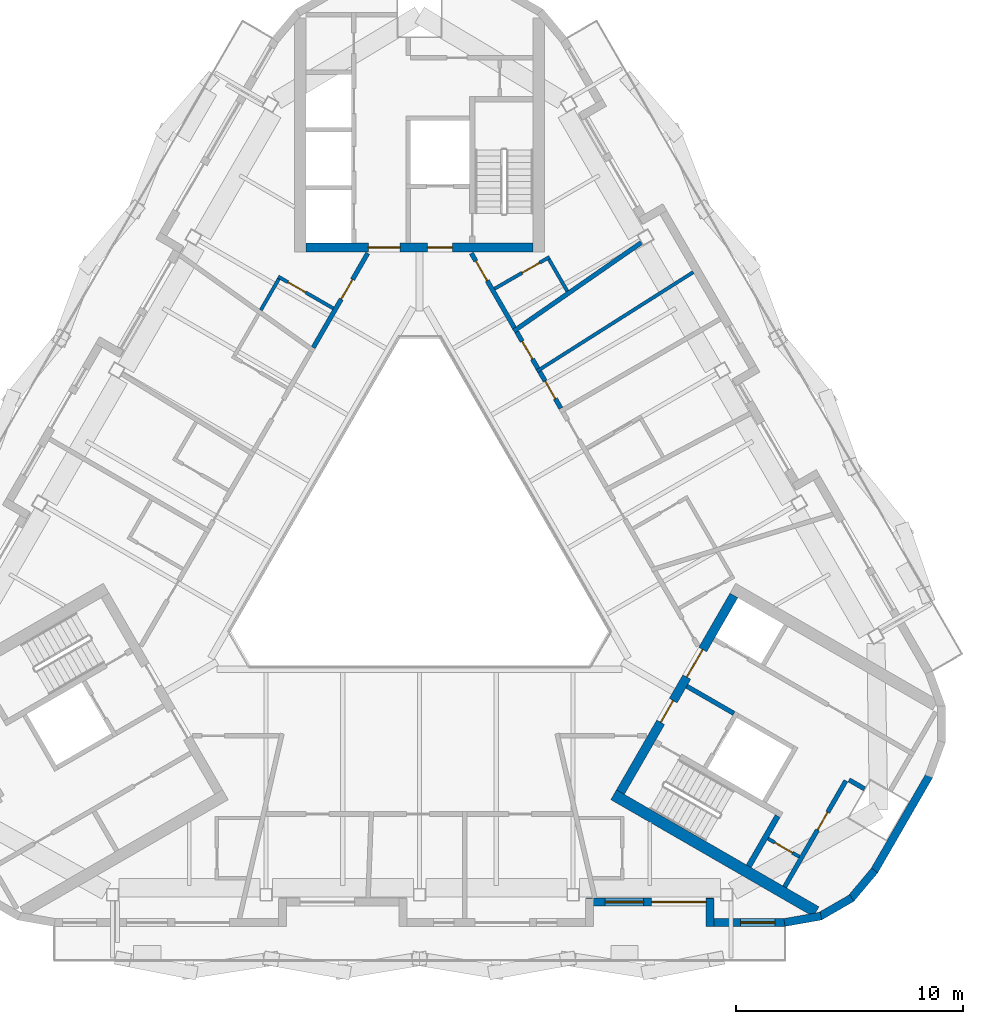
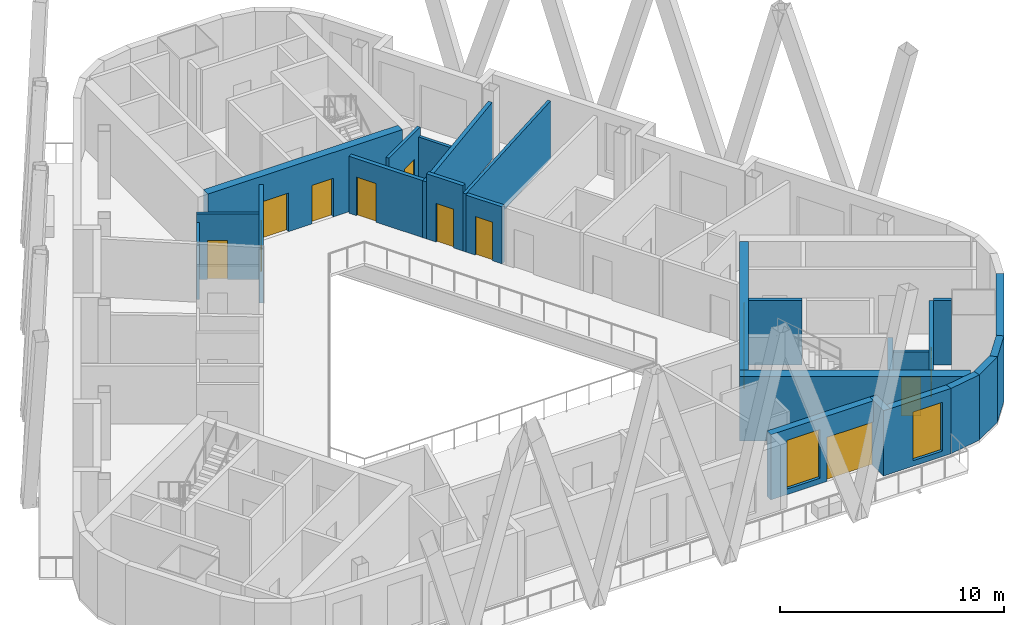
# One storey, part 5 of 12: 25 walls, 13 doors, 2 windows, 15 openings.
"""IFC4 building model written with IfcOpenShell, lengths in metres."""

from ifc_helpers import new_model, si_unit, direction, frame, frame_2d, origin, place, context, subcontext, project, spatial, rectangle, extrude, material, layer, layer_set, type_object, element, fill, save


model = new_model("IFC4")

# Units and contexts
model_context = context("Model", 3, precision=1e-05, world=origin(), true_north=direction((0.0, 1.0)))
body_context = subcontext(model_context, "Body", "Model", "MODEL_VIEW")
ifc_project = project(units=[si_unit("LENGTHUNIT", "METRE"), si_unit("AREAUNIT", "SQUARE_METRE"), si_unit("VOLUMEUNIT", "CUBIC_METRE"), si_unit("PLANEANGLEUNIT", "RADIAN"), si_unit("MASSUNIT", "GRAM", prefix="KILO")], contexts=[model_context])

# Site, building, storey
site_placement = place(None, origin())
site = spatial("IfcSite", under=ifc_project, at=site_placement, CompositionType="ELEMENT")
building_placement = place(site_placement, origin())
building = spatial("IfcBuilding", under=site, at=building_placement, Name="Apuvela Tower Hotel", CompositionType="ELEMENT")
storey_placement = place(building_placement, frame((0.0, 0.0, 302.199951171875)))
storey = spatial("IfcBuildingStorey", under=building, at=storey_placement, Name="L75", CompositionType="ELEMENT", Elevation=302.199951171875)

# Wall, openings, doors
ifc_material_1 = material(Name="Concrete C50/60", Category="concrete")
ifc_layer_1 = layer(ifc_material_1, 0.39990234375)
ifc_layer_set_1 = layer_set([ifc_layer_1], Name="COR-WALL-CORE-400")
wall_type_1 = type_object("IfcWallType", Name="COR-WALL-CORE-400", PredefinedType="SHEAR", material=ifc_layer_set_1)
wall_1_placement = place(storey_placement, frame((5.0, 13.10009765625, 0.0), z_axis=(0.0, 0.0, 1.0), x_axis=(-1.0, 0.0, 0.0)))
wall_1 = element("IfcWall", 1, at=wall_1_placement, inside=storey, type_object=wall_type_1, Name="Core wall N", PredefinedType="SHEAR", context=body_context, shape_type="SweptSolid", body=[
    extrude(rectangle(XDim=10.0, YDim=0.39990234375, at=frame_2d((5.0, 0.0))), origin(), (0.0, 0.0, 1.0), 3.5),
])
opening_1_placement = place(wall_1_placement, frame((3.550048828125, 0.0, 0.0)))
opening_1 = element("IfcOpeningElement", 2, at=opening_1_placement, cuts=wall_1, Name="Opening N-FD", PredefinedType="OPENING", context=body_context, shape_type="SweptSolid", body=[
    extrude(rectangle(XDim=1.10009765625, YDim=2.10009765625, at=frame_2d((0.550048828125, 1.050048828125))), frame((0.0, 0.2099609375, 0.0), z_axis=(0.0, -1.0, 0.0), x_axis=(1.0, 0.0, 0.0)), (0.0, 0.0, 1.0), 0.419921875),
])
opening_2_placement = place(wall_1_placement, frame((5.85009765625, 0.0, 0.0)))
opening_2 = element("IfcOpeningElement", 3, at=opening_2_placement, cuts=wall_1, Name="Opening N-GD", PredefinedType="OPENING", context=body_context, shape_type="SweptSolid", body=[
    extrude(rectangle(XDim=1.39990234375, YDim=2.10009765625, at=frame_2d((0.699951171875, 1.050048828125))), frame((0.0, 0.2099609375, 0.0), z_axis=(0.0, -1.0, 0.0), x_axis=(1.0, 0.0, 0.0)), (0.0, 0.0, 1.0), 0.419921875),
])
ifc_material_2 = material(Name="Steel fire door, powder coated", Category="steel")
door_type_1 = type_object("IfcDoorType", Name="COR-FD-1100", OperationType="NOTDEFINED", PredefinedType="DOOR", material=ifc_material_2)
door_1_placement = place(opening_1_placement, frame((1.10009765625, 0.0, 0.0), z_axis=(0.0, 0.0, 1.0), x_axis=(-1.0, 0.0, 0.0)))
door_1 = element("IfcDoor", 4, at=door_1_placement, inside=storey, type_object=door_type_1, Name="Firefighting lobby door N-FD", OperationType="SINGLE_SWING_LEFT", OverallHeight=2.10009765625, OverallWidth=1.10009765625, PredefinedType="DOOR", context=body_context, shape_type="SweptSolid", body=[
    extrude(rectangle(XDim=1.10009765625, YDim=2.10009765625, at=frame_2d((0.550048828125, 1.050048828125))), frame((0.0, 0.02490234375, 0.0), z_axis=(0.0, -1.0, 0.0), x_axis=(1.0, 0.0, 0.0)), (0.0, 0.0, 1.0), 0.050048828125),
])
fill(opening_1, door_1)
ifc_material_3 = material(Name="Glazed steel fire door", Category="steel")
door_type_2 = type_object("IfcDoorType", Name="COR-GD-1400", OperationType="DOUBLE_DOOR_SINGLE_SWING", PredefinedType="DOOR", material=ifc_material_3)
door_2_placement = place(opening_2_placement, frame((1.39990234375, 0.0, 0.0), z_axis=(0.0, 0.0, 1.0), x_axis=(-1.0, 0.0, 0.0)))
door_2 = element("IfcDoor", 5, at=door_2_placement, inside=storey, type_object=door_type_2, Name="Lift lobby door N-GD", OperationType="DOUBLE_DOOR_SINGLE_SWING", OverallHeight=2.10009765625, OverallWidth=1.39990234375, PredefinedType="DOOR", context=body_context, shape_type="SweptSolid", body=[
    extrude(rectangle(XDim=1.39990234375, YDim=2.10009765625, at=frame_2d((0.699951171875, 1.050048828125))), frame((0.0, 0.02490234375, 0.0), z_axis=(0.0, -1.0, 0.0), x_axis=(1.0, 0.0, 0.0)), (0.0, 0.0, 1.0), 0.050048828125),
])
fill(opening_2, door_2)

wall_2_placement = place(storey_placement, frame((8.844970703125, -10.880126953125, 0.0), z_axis=(0.0, 0.0, 1.0), x_axis=(0.500004234368, 0.866022959057, 0.0)))
wall_2 = element("IfcWall", 6, at=wall_2_placement, inside=storey, type_object=wall_type_1, Name="Core wall SE", PredefinedType="SHEAR", context=body_context, shape_type="SweptSolid", body=[
    extrude(rectangle(XDim=10.0, YDim=0.39990234375, at=frame_2d((5.0, 0.0))), origin(), (0.0, 0.0, 1.0), 3.5),
])
opening_3_placement = place(wall_2_placement, frame((3.550048828125, 0.0, 0.0)))
opening_3 = element("IfcOpeningElement", 7, at=opening_3_placement, cuts=wall_2, Name="Opening E-FD", PredefinedType="OPENING", context=body_context, shape_type="SweptSolid", body=[
    extrude(rectangle(XDim=1.10009765625, YDim=2.10009765625, at=frame_2d((0.550048828125, 1.050048828125))), frame((0.0, 0.2099609375, 0.0), z_axis=(0.0, -1.0, 0.0), x_axis=(1.0, 0.0, 0.0)), (0.0, 0.0, 1.0), 0.419921875),
])
opening_4_placement = place(wall_2_placement, frame((5.85009765625, 0.0, 0.0)))
opening_4 = element("IfcOpeningElement", 8, at=opening_4_placement, cuts=wall_2, Name="Opening E-GD", PredefinedType="OPENING", context=body_context, shape_type="SweptSolid", body=[
    extrude(rectangle(XDim=1.39990234375, YDim=2.10009765625, at=frame_2d((0.699951171875, 1.050048828125))), frame((0.0, 0.2099609375, 0.0), z_axis=(0.0, -1.0, 0.0), x_axis=(1.0, 0.0, 0.0)), (0.0, 0.0, 1.0), 0.419921875),
])
door_3_placement = place(opening_3_placement, frame((1.10009765625, 0.0, 0.0), z_axis=(0.0, 0.0, 1.0), x_axis=(-1.0, 0.0, 0.0)))
door_3 = element("IfcDoor", 9, at=door_3_placement, inside=storey, type_object=door_type_1, Name="Firefighting lobby door E-FD", OperationType="SINGLE_SWING_LEFT", OverallHeight=2.10009765625, OverallWidth=1.10009765625, PredefinedType="DOOR", context=body_context, shape_type="SweptSolid", body=[
    extrude(rectangle(XDim=1.10009765625, YDim=2.10009765625, at=frame_2d((0.550048828125, 1.050048828125))), frame((0.0, 0.02490234375, 0.0), z_axis=(0.0, -1.0, 0.0), x_axis=(1.0, 0.0, 0.0)), (0.0, 0.0, 1.0), 0.050048828125),
])
fill(opening_3, door_3)
door_4_placement = place(opening_4_placement, frame((1.39990234375, 0.0, 0.0), z_axis=(0.0, 0.0, 1.0), x_axis=(-1.0, 0.0, 0.0)))
door_4 = element("IfcDoor", 10, at=door_4_placement, inside=storey, type_object=door_type_2, Name="Lift lobby door E-GD", OperationType="DOUBLE_DOOR_SINGLE_SWING", OverallHeight=2.10009765625, OverallWidth=1.39990234375, PredefinedType="DOOR", context=body_context, shape_type="SweptSolid", body=[
    extrude(rectangle(XDim=1.39990234375, YDim=2.10009765625, at=frame_2d((0.699951171875, 1.050048828125))), frame((0.0, 0.02490234375, 0.0), z_axis=(0.0, -1.0, 0.0), x_axis=(1.0, 0.0, 0.0)), (0.0, 0.0, 1.0), 0.050048828125),
])
fill(opening_4, door_4)

# Wall
ifc_layer_2 = layer(ifc_material_1, 0.5)
ifc_layer_set_2 = layer_set([ifc_layer_2], Name="COR-WALL-CORE-500")
wall_type_2 = type_object("IfcWallType", Name="COR-WALL-CORE-500", PredefinedType="SHEAR", material=ifc_layer_set_2)
wall_3_placement = place(storey_placement, frame((8.546630859375, -10.99658203125, 0.0), z_axis=(0.0, 0.0, 1.0), x_axis=(0.866027279078, -0.499996751883, 0.0)))
element("IfcWall", 11, at=wall_3_placement, inside=storey, type_object=wall_type_2, Name="Core wall SE", PredefinedType="SHEAR", context=body_context, shape_type="SweptSolid", body=[
    extrude(rectangle(XDim=10.29833984375, YDim=0.5, at=frame_2d((5.149169921875, 0.0))), origin(), (0.0, 0.0, 1.0), 3.5),
])

# Wall, opening, door
ifc_material_4 = material(Name="Blockwork 150 mm plastered", Category="masonry")
ifc_layer_3 = layer(ifc_material_4, 0.14990234375)
ifc_layer_set_3 = layer_set([ifc_layer_3], Name="COR-WALL-PART-150")
wall_type_3 = type_object("IfcWallType", Name="COR-WALL-PART-150", PredefinedType="PARTITIONING", material=ifc_layer_set_3)
wall_4_placement = place(storey_placement, frame((15.341552734375, -12.927734375, 0.0), z_axis=(0.0, 0.0, 1.0), x_axis=(0.865989903783, -0.500061482766, 0.0)))
wall_4 = element("IfcWall", 12, at=wall_4_placement, inside=storey, type_object=wall_type_3, Name="Partition SE", PredefinedType="PARTITIONING", context=body_context, shape_type="SweptSolid", body=[
    extrude(rectangle(XDim=1.599853515625, YDim=0.14990234375, at=frame_2d((0.7998046875, 0.0))), origin(), (0.0, 0.0, 1.0), 3.5),
])
opening_5_placement = place(wall_4_placement, frame((0.35009765625, 0.0, 0.0)))
opening_5 = element("IfcOpeningElement", 13, at=opening_5_placement, cuts=wall_4, Name="Opening E-RD", PredefinedType="OPENING", context=body_context, shape_type="SweptSolid", body=[
    extrude(rectangle(XDim=0.89990234375, YDim=2.10009765625, at=frame_2d((0.449951171875, 1.050048828125))), frame((0.0, 0.0849609375, 0.0), z_axis=(0.0, -1.0, 0.0), x_axis=(1.0, 0.0, 0.0)), (0.0, 0.0, 1.0), 0.169921875),
])
ifc_material_5 = material(Name="Steel access door, powder coated", Category="steel")
door_type_3 = type_object("IfcDoorType", Name="COR-RD-900", OperationType="NOTDEFINED", PredefinedType="DOOR", material=ifc_material_5)
door_5_placement = place(opening_5_placement, frame((0.89990234375, 0.0, 0.0), z_axis=(0.0, 0.0, 1.0), x_axis=(-1.0, 0.0, 0.0)))
door_5 = element("IfcDoor", 14, at=door_5_placement, inside=storey, type_object=door_type_3, Name="Riser door E-RD", OperationType="SINGLE_SWING_LEFT", OverallHeight=2.10009765625, OverallWidth=0.89990234375, PredefinedType="DOOR", context=body_context, shape_type="SweptSolid", body=[
    extrude(rectangle(XDim=0.89990234375, YDim=2.10009765625, at=frame_2d((0.449951171875, 1.050048828125))), frame((0.0, 0.02490234375, 0.0), z_axis=(0.0, -1.0, 0.0), x_axis=(1.0, 0.0, 0.0)), (0.0, 0.0, 1.0), 0.050048828125),
])
fill(opening_5, door_5)

ifc_material_6 = material(Name="Blockwork 200 mm plastered", Category="masonry")
ifc_layer_4 = layer(ifc_material_6, 0.199951171875)
ifc_layer_set_4 = layer_set([ifc_layer_4], Name="COR-WALL-PART-200")
wall_type_4 = type_object("IfcWallType", Name="COR-WALL-PART-200", PredefinedType="PARTITIONING", material=ifc_layer_set_4)
wall_5_placement = place(storey_placement, frame((16.076171875, -15.05517578125, 0.0), z_axis=(0.0, 0.0, 1.0), x_axis=(0.499995103361, 0.866028230842, 0.0)))
wall_5 = element("IfcWall", 15, at=wall_5_placement, inside=storey, type_object=wall_type_4, Name="Partition SE", PredefinedType="PARTITIONING", context=body_context, shape_type="SweptSolid", body=[
    extrude(rectangle(XDim=5.39990234375, YDim=0.199951171875, at=frame_2d((2.699951171875, 0.0))), origin(), (0.0, 0.0, 1.0), 3.5),
])
opening_6_placement = place(wall_5_placement, frame((2.89990234375, 0.0, 0.0)))
opening_6 = element("IfcOpeningElement", 16, at=opening_6_placement, cuts=wall_5, Name="Opening E-RS1", PredefinedType="OPENING", context=body_context, shape_type="SweptSolid", body=[
    extrude(rectangle(XDim=0.89990234375, YDim=2.10009765625, at=frame_2d((0.449951171875, 1.050048828125))), frame((0.0, 0.10986328125, 0.0), z_axis=(0.0, -1.0, 0.0), x_axis=(1.0, 0.0, 0.0)), (0.0, 0.0, 1.0), 0.219970703125),
])
door_type_4 = type_object("IfcDoorType", Name="COR-DR-900", OperationType="NOTDEFINED", PredefinedType="DOOR", material=ifc_material_2)
door_6_placement = place(opening_6_placement, frame((0.89990234375, 0.0, 0.0), z_axis=(0.0, 0.0, 1.0), x_axis=(-1.0, 0.0, 0.0)))
door_6 = element("IfcDoor", 17, at=door_6_placement, inside=storey, type_object=door_type_4, Name="Store door E-RS1", OperationType="SINGLE_SWING_LEFT", OverallHeight=2.10009765625, OverallWidth=0.89990234375, PredefinedType="DOOR", context=body_context, shape_type="SweptSolid", body=[
    extrude(rectangle(XDim=0.89990234375, YDim=2.10009765625, at=frame_2d((0.449951171875, 1.050048828125))), frame((0.0, 0.02490234375, 0.0), z_axis=(0.0, -1.0, 0.0), x_axis=(1.0, 0.0, 0.0)), (0.0, 0.0, 1.0), 0.050048828125),
])
fill(opening_6, door_6)

# Walls
ifc_layer_5 = layer(ifc_material_1, 0.199951171875)
ifc_layer_set_5 = layer_set([ifc_layer_5], Name="COR-WALL-SHAFT-200")
wall_type_5 = type_object("IfcWallType", Name="COR-WALL-SHAFT-200", PredefinedType="SHEAR", material=ifc_layer_set_5)
wall_6_placement = place(storey_placement, frame((11.76806640625, -6.217041015625, 0.0), z_axis=(0.0, 0.0, 1.0), x_axis=(0.866050077142, -0.499957262057, 0.0)))
element("IfcWall", 18, at=wall_6_placement, inside=storey, type_object=wall_type_5, Name="Shaft wall SE", PredefinedType="SHEAR", context=body_context, shape_type="SweptSolid", body=[
    extrude(rectangle(XDim=2.400146484375, YDim=0.199951171875, at=frame_2d((1.2001953125, 0.0))), origin(), (0.0, 0.0, 1.0), 3.5),
])
wall_7_placement = place(storey_placement, frame((18.912841796875, -10.342041015625, 0.0), z_axis=(0.0, 0.0, 1.0), x_axis=(0.86597493103, -0.500087411186, 0.0)))
element("IfcWall", 19, at=wall_7_placement, inside=storey, type_object=wall_type_5, Name="Shaft wall SE", PredefinedType="SHEAR", context=body_context, shape_type="SweptSolid", body=[
    extrude(rectangle(XDim=0.791259765625, YDim=0.199951171875, at=frame_2d((0.3955078125, 0.0))), origin(), (0.0, 0.0, 1.0), 3.5),
])
ifc_layer_6 = layer(ifc_material_1, 0.25)
ifc_layer_set_6 = layer_set([ifc_layer_6], Name="COR-WALL-STAIR-250")
wall_type_6 = type_object("IfcWallType", Name="COR-WALL-STAIR-250", PredefinedType="SHEAR", material=ifc_layer_set_6)
wall_8_placement = place(storey_placement, frame((14.49560546875, -14.142578125, 0.0), z_axis=(0.0, 0.0, 1.0), x_axis=(0.500062241894, 0.865989465428, 0.0)))
element("IfcWall", 20, at=wall_8_placement, inside=storey, type_object=wall_type_6, Name="Stair wall SE", PredefinedType="SHEAR", context=body_context, shape_type="SweptSolid", body=[
    extrude(rectangle(XDim=2.550048828125, YDim=0.25, at=frame_2d((1.27490234375, 0.0))), origin(), (0.0, 0.0, 1.0), 3.5),
])

# Wall, openings, door, window
ifc_material_7 = material(Name="Concrete C40/50, dark pigmented precast panel", Category="concrete")
ifc_layer_7 = layer(ifc_material_7, 0.35009765625)
ifc_layer_set_7 = layer_set([ifc_layer_7], Name="ENV-WALL-350")
wall_type_7 = type_object("IfcWallType", Name="ENV-WALL-350", PredefinedType="SOLIDWALL", material=ifc_layer_set_7)
wall_9_placement = place(storey_placement, frame((7.3388671875, -15.719482421875, 0.0), z_axis=(0.0, 0.0, 1.0), x_axis=(1.0, 0.0, 0.0)))
wall_9 = element("IfcWall", 21, at=wall_9_placement, inside=storey, type_object=wall_type_7, Name="External wall L75-23", PredefinedType="SOLIDWALL", context=body_context, shape_type="SweptSolid", body=[
    extrude(rectangle(XDim=5.598876953125, YDim=0.35009765625, at=frame_2d((2.79931640625, 0.0))), origin(), (0.0, 0.0, 1.0), 3.550048828125),
])
opening_7_placement = place(wall_9_placement, frame((2.87890625, 0.0, 0.0)))
opening_7 = element("IfcOpeningElement", 22, at=opening_7_placement, cuts=wall_9, Name="Opening BD24", PredefinedType="OPENING", context=body_context, shape_type="SweptSolid", body=[
    extrude(rectangle(XDim=2.39990234375, YDim=2.39990234375, at=frame_2d((1.199951171875, 1.199951171875))), frame((0.0, 0.18505859375, 0.0), z_axis=(0.0, -1.0, 0.0), x_axis=(1.0, 0.0, 0.0)), (0.0, 0.0, 1.0), 0.3701171875),
])
opening_8_placement = place(wall_9_placement, frame((0.831298828125, 0.0, 0.300048828125)))
opening_8 = element("IfcOpeningElement", 23, at=opening_8_placement, cuts=wall_9, Name="Opening WN17", PredefinedType="OPENING", context=body_context, shape_type="SweptSolid", body=[
    extrude(rectangle(XDim=1.699951171875, YDim=2.64990234375, at=frame_2d((0.85009765625, 1.324951171875))), frame((0.0, 0.18505859375, 0.0), z_axis=(0.0, -1.0, 0.0), x_axis=(1.0, 0.0, 0.0)), (0.0, 0.0, 1.0), 0.3701171875),
])
ifc_material_8 = material(Name="Aluminium 6063-T6, dark bronze anodised frame with dark tinted laminated glass", Category="aluminium")
door_type_5 = type_object("IfcDoorType", Name="ENV-DOOR-BALCONY-2400x2400", OperationType="SLIDING_TO_LEFT", PredefinedType="DOOR", material=ifc_material_8)
door_7_placement = place(opening_7_placement, frame((2.39990234375, 0.0, 0.0), z_axis=(0.0, 0.0, 1.0), x_axis=(-1.0, 0.0, 0.0)))
door_7 = element("IfcDoor", 24, at=door_7_placement, inside=storey, type_object=door_type_5, Name="Balcony door BD24", OperationType="SLIDING_TO_LEFT", OverallHeight=2.39990234375, OverallWidth=2.39990234375, PredefinedType="DOOR", context=body_context, shape_type="SweptSolid", body=[
    extrude(rectangle(XDim=2.39990234375, YDim=2.39990234375, at=frame_2d((1.199951171875, 1.199951171875))), frame((0.0, 0.02490234375, 0.0), z_axis=(0.0, -1.0, 0.0), x_axis=(1.0, 0.0, 0.0)), (0.0, 0.0, 1.0), 0.050048828125),
])
fill(opening_7, door_7)
ifc_material_9 = material(Name="Glass, dark tinted laminated insulated glazing unit", Category="glass")
window_type_1 = type_object("IfcWindowType", Name="ENV-WIN-1700x2650", PartitioningType="SINGLE_PANEL", PredefinedType="WINDOW", material=ifc_material_9)
window_1_placement = place(opening_8_placement, origin())
window_1 = element("IfcWindow", 25, at=window_1_placement, inside=storey, type_object=window_type_1, Name="Window WN17", OverallHeight=2.64990234375, OverallWidth=1.699951171875, PartitioningType="SINGLE_PANEL", PredefinedType="WINDOW", context=body_context, shape_type="SweptSolid", body=[
    extrude(rectangle(XDim=1.699951171875, YDim=2.64990234375, at=frame_2d((0.85009765625, 1.324951171875))), frame((0.0, 0.030029296875, 0.0), z_axis=(0.0, -1.0, 0.0), x_axis=(1.0, 0.0, 0.0)), (0.0, 0.0, 1.0), 0.06005859375),
])
fill(opening_8, window_1)

# Wall
wall_10_placement = place(storey_placement, frame((12.792724609375, -15.57470703125, 0.0), z_axis=(0.0, 0.0, 1.0), x_axis=(0.0, -1.0, 0.0)))
element("IfcWall", 26, at=wall_10_placement, inside=storey, type_object=wall_type_7, Name="External wall L75-24", PredefinedType="SOLIDWALL", context=body_context, shape_type="SweptSolid", body=[
    extrude(rectangle(XDim=1.219970703125, YDim=0.35009765625, at=frame_2d((0.60986328125, 0.0))), origin(), (0.0, 0.0, 1.0), 3.550048828125),
])

# Wall, opening, window
wall_11_placement = place(storey_placement, frame((12.617919921875, -16.61962890625, 0.0), z_axis=(0.0, 0.0, 1.0), x_axis=(1.0, 0.0, 0.0)))
wall_11 = element("IfcWall", 27, at=wall_11_placement, inside=storey, type_object=wall_type_7, Name="External wall L75-25", PredefinedType="SOLIDWALL", context=body_context, shape_type="SweptSolid", body=[
    extrude(rectangle(XDim=3.47998046875, YDim=0.35009765625, at=frame_2d((1.739990234375, 0.0))), origin(), (0.0, 0.0, 1.0), 3.550048828125),
])
opening_9_placement = place(wall_11_placement, frame((1.525146484375, 0.0, 0.300048828125)))
opening_9 = element("IfcOpeningElement", 28, at=opening_9_placement, cuts=wall_11, Name="Opening WN15", PredefinedType="OPENING", context=body_context, shape_type="SweptSolid", body=[
    extrude(rectangle(XDim=1.5, YDim=2.64990234375, at=frame_2d((0.75, 1.324951171875))), frame((0.0, 0.18505859375, 0.0), z_axis=(0.0, -1.0, 0.0), x_axis=(1.0, 0.0, 0.0)), (0.0, 0.0, 1.0), 0.3701171875),
])
window_type_2 = type_object("IfcWindowType", Name="ENV-WIN-1500x2650", PartitioningType="SINGLE_PANEL", PredefinedType="WINDOW", material=ifc_material_9)
window_2_placement = place(opening_9_placement, origin())
window_2 = element("IfcWindow", 29, at=window_2_placement, inside=storey, type_object=window_type_2, Name="Window WN15", OverallHeight=2.64990234375, OverallWidth=1.5, PartitioningType="SINGLE_PANEL", PredefinedType="WINDOW", context=body_context, shape_type="SweptSolid", body=[
    extrude(rectangle(XDim=1.5, YDim=2.64990234375, at=frame_2d((0.75, 1.324951171875))), frame((0.0, 0.030029296875, 0.0), z_axis=(0.0, -1.0, 0.0), x_axis=(1.0, 0.0, 0.0)), (0.0, 0.0, 1.0), 0.06005859375),
])
fill(opening_9, window_2)

# Walls
wall_12_placement = place(storey_placement, frame((16.067626953125, -16.622314453125, 0.0), z_axis=(0.0, 0.0, 1.0), x_axis=(0.98479107762, 0.173742721977, 0.0)))
element("IfcWall", 30, at=wall_12_placement, inside=storey, type_object=wall_type_7, Name="External wall L75-26", PredefinedType="SOLIDWALL", context=body_context, shape_type="SweptSolid", body=[
    extrude(rectangle(XDim=1.63427734375, YDim=0.35009765625, at=frame_2d((0.817138671875, 0.0))), origin(), (0.0, 0.0, 1.0), 3.550048828125),
])
wall_13_placement = place(storey_placement, frame((17.619873046875, -16.359130859375, 0.0), z_axis=(0.0, 0.0, 1.0), x_axis=(0.866083589932, 0.499899205091, 0.0)))
element("IfcWall", 31, at=wall_13_placement, inside=storey, type_object=wall_type_7, Name="External wall L75-27", PredefinedType="SOLIDWALL", context=body_context, shape_type="SweptSolid", body=[
    extrude(rectangle(XDim=1.634033203125, YDim=0.35009765625, at=frame_2d((0.81689453125, 0.0))), origin(), (0.0, 0.0, 1.0), 3.550048828125),
])
wall_14_placement = place(storey_placement, frame((18.98876953125, -15.581298828125, 0.0), z_axis=(0.0, 0.0, 1.0), x_axis=(0.642708448155, 0.766110860562, 0.0)))
element("IfcWall", 32, at=wall_14_placement, inside=storey, type_object=wall_type_7, Name="External wall L75-28", PredefinedType="SOLIDWALL", context=body_context, shape_type="SweptSolid", body=[
    extrude(rectangle(XDim=1.63427734375, YDim=0.35009765625, at=frame_2d((0.817138671875, 0.0))), origin(), (0.0, 0.0, 1.0), 3.550048828125),
])
wall_15_placement = place(storey_placement, frame((20.021484375, -14.354248046875, 0.0), z_axis=(0.0, 0.0, 1.0), x_axis=(0.500012048649, 0.866018447382, 0.0)))
element("IfcWall", 33, at=wall_15_placement, inside=storey, type_object=wall_type_7, Name="External wall L75-29", PredefinedType="SOLIDWALL", context=body_context, shape_type="SweptSolid", body=[
    extrude(rectangle(XDim=4.8408203125, YDim=0.35009765625, at=frame_2d((2.42041015625, 0.0))), origin(), (0.0, 0.0, 1.0), 3.550048828125),
])
ifc_material_10 = material(Name="Gypsum board partition on twin steel stud", Category="steel")
ifc_layer_8 = layer(ifc_material_10, 0.199951171875)
ifc_layer_set_8 = layer_set([ifc_layer_8], Name="GST-PW1")
wall_type_8 = type_object("IfcWallType", Name="GST-PW1", PredefinedType="PARTITIONING", material=ifc_layer_set_8)
wall_16_placement = place(storey_placement, frame((9.769287109375, 13.318115234375, 0.0), z_axis=(0.0, 0.0, 1.0), x_axis=(-0.821728251777, -0.569879531332, 0.0)))
element("IfcWall", 34, at=wall_16_placement, inside=storey, type_object=wall_type_8, Name="L75 partition 08", PredefinedType="PARTITIONING", context=body_context, shape_type="SweptSolid", body=[
    extrude(rectangle(XDim=6.843017578125, YDim=0.199951171875, at=frame_2d((3.42138671875, 0.0))), origin(), (0.0, 0.0, 1.0), 3.10009765625),
])

# Wall, opening, door
ifc_material_11 = material(Name="Gypsum board corridor wall on twin steel stud, acoustic", Category="steel")
ifc_layer_9 = layer(ifc_material_11, 0.199951171875)
ifc_layer_set_9 = layer_set([ifc_layer_9], Name="GST-PW2")
wall_type_9 = type_object("IfcWallType", Name="GST-PW2", PredefinedType="PARTITIONING", material=ifc_layer_set_9)
wall_17_placement = place(storey_placement, frame((5.289306640625, 7.638916015625, 0.0), z_axis=(0.0, 0.0, 1.0), x_axis=(0.499970989427, -0.866042152399, 0.0)))
wall_17 = element("IfcWall", 35, at=wall_17_placement, inside=storey, type_object=wall_type_9, Name="L75 partition 33", PredefinedType="PARTITIONING", context=body_context, shape_type="SweptSolid", body=[
    extrude(rectangle(XDim=1.87060546875, YDim=0.199951171875, at=frame_2d((0.935302734375, 0.0))), origin(), (0.0, 0.0, 1.0), 3.10009765625),
])
opening_10_placement = place(wall_17_placement, frame((0.485595703125, 0.0, 0.0)))
opening_10 = element("IfcOpeningElement", 36, at=opening_10_placement, cuts=wall_17, Name="Opening GD31-14", PredefinedType="OPENING", context=body_context, shape_type="SweptSolid", body=[
    extrude(rectangle(XDim=0.89990234375, YDim=2.10009765625, at=frame_2d((0.449951171875, 1.050048828125))), frame((0.0, 0.10986328125, 0.0), z_axis=(0.0, -1.0, 0.0), x_axis=(1.0, 0.0, 0.0)), (0.0, 0.0, 1.0), 0.219970703125),
])
ifc_material_12 = material(Name="Timber door leaf in steel frame", Category="steel")
door_type_6 = type_object("IfcDoorType", Name="GST-D2", OperationType="NOTDEFINED", PredefinedType="DOOR", material=ifc_material_12)
door_8_placement = place(opening_10_placement, origin())
door_8 = element("IfcDoor", 37, at=door_8_placement, inside=storey, type_object=door_type_6, Name="Door L75-14", OperationType="SINGLE_SWING_LEFT", OverallHeight=2.10009765625, OverallWidth=0.89990234375, PredefinedType="DOOR", context=body_context, shape_type="SweptSolid", body=[
    extrude(rectangle(XDim=0.89990234375, YDim=2.10009765625, at=frame_2d((0.449951171875, 1.050048828125))), frame((0.0, 0.02490234375, 0.0), z_axis=(0.0, -1.0, 0.0), x_axis=(1.0, 0.0, 0.0)), (0.0, 0.0, 1.0), 0.050048828125),
])
fill(opening_10, door_8)

wall_18_placement = place(storey_placement, frame((4.27880859375, 9.388671875, 0.0), z_axis=(0.0, 0.0, 1.0), x_axis=(0.500027503603, -0.86600952399, 0.0)))
wall_18 = element("IfcWall", 38, at=wall_18_placement, inside=storey, type_object=wall_type_9, Name="L75 partition 34", PredefinedType="PARTITIONING", context=body_context, shape_type="SweptSolid", body=[
    extrude(rectangle(XDim=1.87060546875, YDim=0.199951171875, at=frame_2d((0.935302734375, 0.0))), origin(), (0.0, 0.0, 1.0), 3.550048828125),
])
opening_11_placement = place(wall_18_placement, frame((0.4853515625, 0.0, 0.0)))
opening_11 = element("IfcOpeningElement", 39, at=opening_11_placement, cuts=wall_18, Name="Opening GD31-15", PredefinedType="OPENING", context=body_context, shape_type="SweptSolid", body=[
    extrude(rectangle(XDim=0.89990234375, YDim=2.10009765625, at=frame_2d((0.449951171875, 1.050048828125))), frame((0.0, 0.10986328125, 0.0), z_axis=(0.0, -1.0, 0.0), x_axis=(1.0, 0.0, 0.0)), (0.0, 0.0, 1.0), 0.219970703125),
])
door_9_placement = place(opening_11_placement, origin())
door_9 = element("IfcDoor", 40, at=door_9_placement, inside=storey, type_object=door_type_6, Name="Door L75-15", OperationType="SINGLE_SWING_RIGHT", OverallHeight=2.10009765625, OverallWidth=0.89990234375, PredefinedType="DOOR", context=body_context, shape_type="SweptSolid", body=[
    extrude(rectangle(XDim=0.89990234375, YDim=2.10009765625, at=frame_2d((0.449951171875, 1.050048828125))), frame((0.0, 0.02490234375, 0.0), z_axis=(0.0, -1.0, 0.0), x_axis=(1.0, 0.0, 0.0)), (0.0, 0.0, 1.0), 0.050048828125),
])
fill(opening_11, door_9)

wall_19_placement = place(storey_placement, frame((2.280517578125, 12.85009765625, 0.0), z_axis=(0.0, 0.0, 1.0), x_axis=(0.500019354728, -0.866014229038, 0.0)))
wall_19 = element("IfcWall", 41, at=wall_19_placement, inside=storey, type_object=wall_type_9, Name="L75 partition 35", PredefinedType="PARTITIONING", context=body_context, shape_type="SweptSolid", body=[
    extrude(rectangle(XDim=3.796142578125, YDim=0.199951171875, at=frame_2d((1.89794921875, 0.0))), origin(), (0.0, 0.0, 1.0), 3.10009765625),
])
opening_12_placement = place(wall_19_placement, frame((0.39990234375, 0.0, 0.0)))
opening_12 = element("IfcOpeningElement", 42, at=opening_12_placement, cuts=wall_19, Name="Opening GD31-17", PredefinedType="OPENING", context=body_context, shape_type="SweptSolid", body=[
    extrude(rectangle(XDim=1.0, YDim=2.10009765625, at=frame_2d((0.5, 1.050048828125))), frame((0.0, 0.10986328125, 0.0), z_axis=(0.0, -1.0, 0.0), x_axis=(1.0, 0.0, 0.0)), (0.0, 0.0, 1.0), 0.219970703125),
])
door_type_7 = type_object("IfcDoorType", Name="GST-D1", OperationType="NOTDEFINED", PredefinedType="DOOR", material=ifc_material_12)
door_10_placement = place(opening_12_placement, origin())
door_10 = element("IfcDoor", 43, at=door_10_placement, inside=storey, type_object=door_type_7, Name="Door L75-17", OperationType="SINGLE_SWING_LEFT", OverallHeight=2.10009765625, OverallWidth=1.0, PredefinedType="DOOR", context=body_context, shape_type="SweptSolid", body=[
    extrude(rectangle(XDim=1.0, YDim=2.10009765625, at=frame_2d((0.5, 1.050048828125))), frame((0.0, 0.02490234375, 0.0), z_axis=(0.0, -1.0, 0.0), x_axis=(1.0, 0.0, 0.0)), (0.0, 0.0, 1.0), 0.050048828125),
])
fill(opening_12, door_10)

wall_20_placement = place(storey_placement, frame((-4.67919921875, 8.6953125, 0.0), z_axis=(0.0, 0.0, 1.0), x_axis=(0.499986760557, 0.866033047446, 0.0)))
wall_20 = element("IfcWall", 44, at=wall_20_placement, inside=storey, type_object=wall_type_9, Name="L75 partition 38", PredefinedType="PARTITIONING", context=body_context, shape_type="SweptSolid", body=[
    extrude(rectangle(XDim=4.797607421875, YDim=0.199951171875, at=frame_2d((2.39892578125, 0.0))), origin(), (0.0, 0.0, 1.0), 3.10009765625),
])
opening_13_placement = place(wall_20_placement, frame((2.459716796875, 0.0, 0.0)))
opening_13 = element("IfcOpeningElement", 45, at=opening_13_placement, cuts=wall_20, Name="Opening GD31-19", PredefinedType="OPENING", context=body_context, shape_type="SweptSolid", body=[
    extrude(rectangle(XDim=1.0, YDim=2.10009765625, at=frame_2d((0.5, 1.050048828125))), frame((0.0, 0.10986328125, 0.0), z_axis=(0.0, -1.0, 0.0), x_axis=(1.0, 0.0, 0.0)), (0.0, 0.0, 1.0), 0.219970703125),
])
door_11_placement = place(opening_13_placement, origin())
door_11 = element("IfcDoor", 46, at=door_11_placement, inside=storey, type_object=door_type_7, Name="Door L75-19", OperationType="SINGLE_SWING_RIGHT", OverallHeight=2.10009765625, OverallWidth=1.0, PredefinedType="DOOR", context=body_context, shape_type="SweptSolid", body=[
    extrude(rectangle(XDim=1.0, YDim=2.10009765625, at=frame_2d((0.5, 1.050048828125))), frame((0.0, 0.02490234375, 0.0), z_axis=(0.0, -1.0, 0.0), x_axis=(1.0, 0.0, 0.0)), (0.0, 0.0, 1.0), 0.050048828125),
])
fill(opening_13, door_11)

# Wall
ifc_material_13 = material(Name="Moisture-resistant gypsum board wet wall on steel stud", Category="steel")
ifc_layer_10 = layer(ifc_material_13, 0.14990234375)
ifc_layer_set_10 = layer_set([ifc_layer_10], Name="GST-PW3")
wall_type_10 = type_object("IfcWallType", Name="GST-PW3", PredefinedType="PARTITIONING", material=ifc_layer_set_10)
wall_21_placement = place(storey_placement, frame((12.0517578125, 12.014892578125, 0.0), z_axis=(0.0, 0.0, 1.0), x_axis=(-0.844566720388, -0.535450328987, 0.0)))
element("IfcWall", 47, at=wall_21_placement, inside=storey, type_object=wall_type_10, Name="L75 partition 32", PredefinedType="PARTITIONING", context=body_context, shape_type="SweptSolid", body=[
    extrude(rectangle(XDim=8.151611328125, YDim=0.14990234375, at=frame_2d((4.07568359375, 0.0))), origin(), (0.0, 0.0, 1.0), 3.16015625),
])

# Wall, opening, door
wall_22_placement = place(storey_placement, frame((5.725341796875, 12.683349609375, 0.0), z_axis=(0.0, 0.0, 1.0), x_axis=(-0.866034573852, -0.49998411664, 0.0)))
wall_22 = element("IfcWall", 48, at=wall_22_placement, inside=storey, type_object=wall_type_10, Name="L75 partition 36", PredefinedType="PARTITIONING", context=body_context, shape_type="SweptSolid", body=[
    extrude(rectangle(XDim=2.7998046875, YDim=0.14990234375, at=frame_2d((1.39990234375, 0.0))), origin(), (0.0, 0.0, 1.0), 3.550048828125),
])
opening_14_placement = place(wall_22_placement, frame((0.5, 0.0, 0.0)))
opening_14 = element("IfcOpeningElement", 49, at=opening_14_placement, cuts=wall_22, Name="Opening GD31-16", PredefinedType="OPENING", context=body_context, shape_type="SweptSolid", body=[
    extrude(rectangle(XDim=0.89990234375, YDim=2.10009765625, at=frame_2d((0.449951171875, 1.050048828125))), frame((0.0, 0.0849609375, 0.0), z_axis=(0.0, -1.0, 0.0), x_axis=(1.0, 0.0, 0.0)), (0.0, 0.0, 1.0), 0.169921875),
])
door_12_placement = place(opening_14_placement, origin())
door_12 = element("IfcDoor", 50, at=door_12_placement, inside=storey, type_object=door_type_6, Name="Door L75-16", OperationType="SINGLE_SWING_LEFT", OverallHeight=2.10009765625, OverallWidth=0.89990234375, PredefinedType="DOOR", context=body_context, shape_type="SweptSolid", body=[
    extrude(rectangle(XDim=0.89990234375, YDim=2.10009765625, at=frame_2d((0.449951171875, 1.050048828125))), frame((0.0, 0.02490234375, 0.0), z_axis=(0.0, -1.0, 0.0), x_axis=(1.0, 0.0, 0.0)), (0.0, 0.0, 1.0), 0.050048828125),
])
fill(opening_14, door_12)

# Wall
wall_23_placement = place(storey_placement, frame((6.508056640625, 11.177978515625, 0.0), z_axis=(0.0, 0.0, 1.0), x_axis=(-0.500061642096, 0.865989811779, 0.0)))
element("IfcWall", 51, at=wall_23_placement, inside=storey, type_object=wall_type_10, Name="L75 partition 37", PredefinedType="PARTITIONING", context=body_context, shape_type="SweptSolid", body=[
    extrude(rectangle(XDim=1.619873046875, YDim=0.14990234375, at=frame_2d((0.81005859375, 0.0))), origin(), (0.0, 0.0, 1.0), 3.10009765625),
])

# Wall, opening, door
wall_24_placement = place(storey_placement, frame((-3.798583984375, 10.4208984375, 0.0), z_axis=(0.0, 0.0, 1.0), x_axis=(-0.866034573852, 0.49998411664, 0.0)))
wall_24 = element("IfcWall", 52, at=wall_24_placement, inside=storey, type_object=wall_type_10, Name="L75 partition 39", PredefinedType="PARTITIONING", context=body_context, shape_type="SweptSolid", body=[
    extrude(rectangle(XDim=2.7998046875, YDim=0.14990234375, at=frame_2d((1.39990234375, 0.0))), origin(), (0.0, 0.0, 1.0), 3.550048828125),
])
opening_15_placement = place(wall_24_placement, frame((1.39990234375, 0.0, 0.0)))
opening_15 = element("IfcOpeningElement", 53, at=opening_15_placement, cuts=wall_24, Name="Opening GD31-18", PredefinedType="OPENING", context=body_context, shape_type="SweptSolid", body=[
    extrude(rectangle(XDim=0.89990234375, YDim=2.10009765625, at=frame_2d((0.449951171875, 1.050048828125))), frame((0.0, 0.0849609375, 0.0), z_axis=(0.0, -1.0, 0.0), x_axis=(1.0, 0.0, 0.0)), (0.0, 0.0, 1.0), 0.169921875),
])
door_13_placement = place(opening_15_placement, origin())
door_13 = element("IfcDoor", 54, at=door_13_placement, inside=storey, type_object=door_type_6, Name="Door L75-18", OperationType="SINGLE_SWING_RIGHT", OverallHeight=2.10009765625, OverallWidth=0.89990234375, PredefinedType="DOOR", context=body_context, shape_type="SweptSolid", body=[
    extrude(rectangle(XDim=0.89990234375, YDim=2.10009765625, at=frame_2d((0.449951171875, 1.050048828125))), frame((0.0, 0.02490234375, 0.0), z_axis=(0.0, -1.0, 0.0), x_axis=(1.0, 0.0, 0.0)), (0.0, 0.0, 1.0), 0.050048828125),
])
fill(opening_15, door_13)

# Wall
wall_25_placement = place(storey_placement, frame((-6.19580078125, 11.718505859375, 0.0), z_axis=(0.0, 0.0, 1.0), x_axis=(-0.500041894521, -0.86600121462, 0.0)))
element("IfcWall", 55, at=wall_25_placement, inside=storey, type_object=wall_type_10, Name="L75 partition 40", PredefinedType="PARTITIONING", context=body_context, shape_type="SweptSolid", body=[
    extrude(rectangle(XDim=1.587646484375, YDim=0.14990234375, at=frame_2d((0.7939453125, 0.0))), origin(), (0.0, 0.0, 1.0), 3.10009765625),
])

save(model, "model.ifc")
